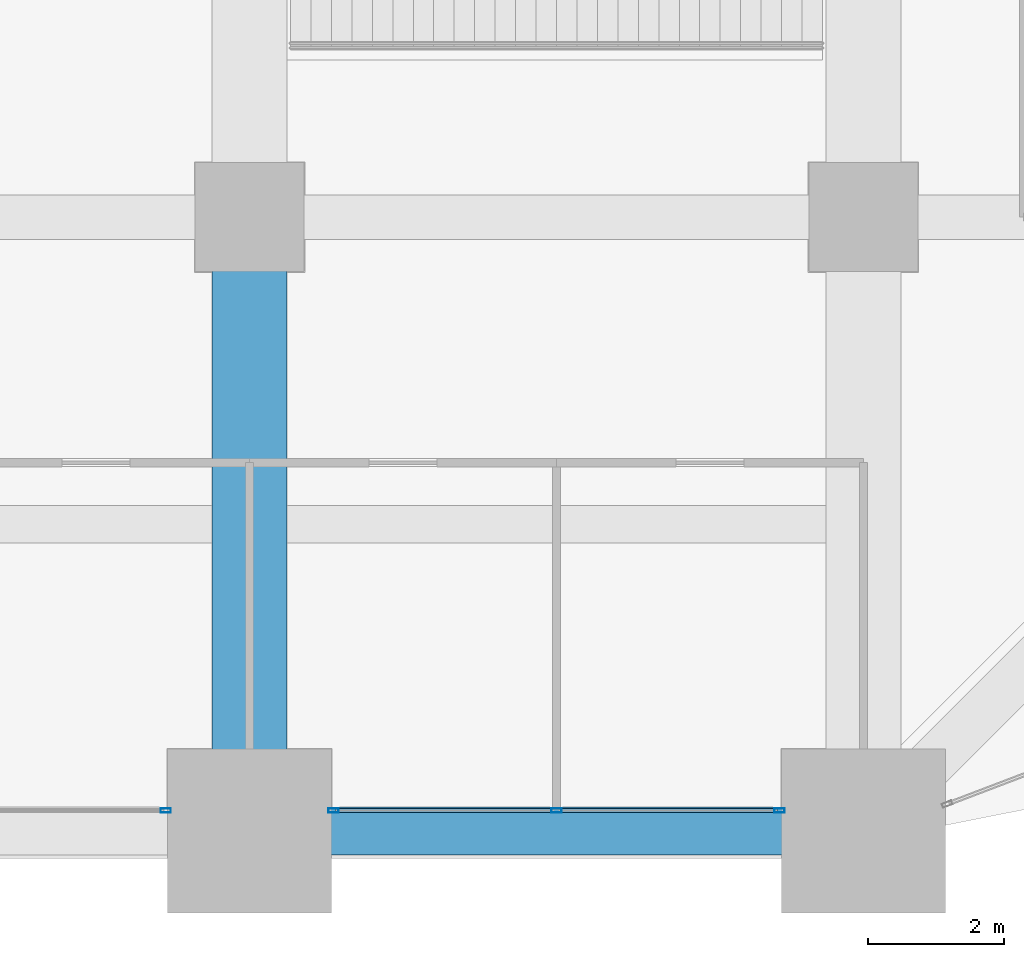
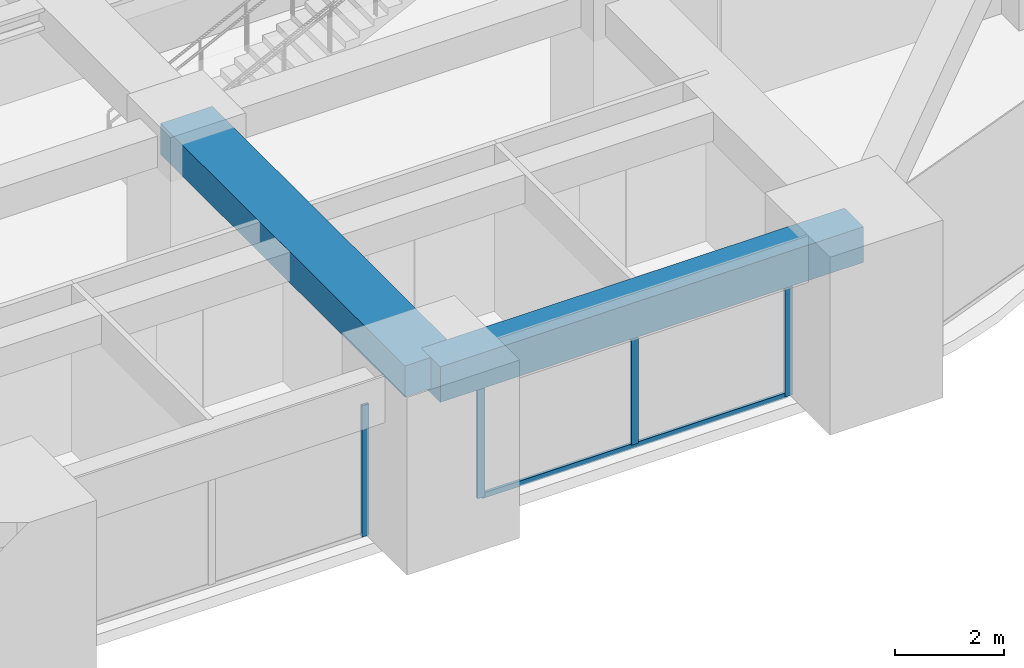
# One storey, part 13 of 34: 5 members, 2 beams, 2 elements without a shape of their own.
"""IFC4 building model written with IfcOpenShell, lengths in metres."""

from ifc_helpers import new_model, si_unit, direction, frame, origin, origin_2d, place, context, subcontext, project, spatial, rectangle, hollow_rectangle, extrude, material, material_profile, profile_set, type_object, element, aggregate, save


model = new_model("IFC4")

# Units and contexts
model_context = context("Model", 3, precision=1e-05, world=origin(), true_north=direction((0.0, 1.0)))
body_context = subcontext(model_context, "Body", "Model", "MODEL_VIEW")
ifc_project = project(units=[si_unit("LENGTHUNIT", "METRE"), si_unit("AREAUNIT", "SQUARE_METRE"), si_unit("VOLUMEUNIT", "CUBIC_METRE"), si_unit("PLANEANGLEUNIT", "RADIAN"), si_unit("MASSUNIT", "GRAM", prefix="KILO")], contexts=[model_context])

# Site, building, storey
site_placement = place(None, origin())
site = spatial("IfcSite", under=ifc_project, at=site_placement, CompositionType="ELEMENT")
building_placement = place(site_placement, origin())
building = spatial("IfcBuilding", under=site, at=building_placement, Name="Zorevar Civic Tower", CompositionType="ELEMENT")
storey_placement = place(building_placement, frame((0.0, 0.0, 174.199951171875)))
storey = spatial("IfcBuildingStorey", under=building, at=storey_placement, Name="L42", CompositionType="ELEMENT", Elevation=174.199951171875)

# Beam
ifc_material_1 = material(Name="Concrete C50/60", Category="concrete")
ifc_material_profile_1 = material_profile(ifc_material_1, rectangle(XDim=1.10009765625, YDim=0.699951171875, at=origin_2d()), Name="RC 1100x700")
ifc_profile_set_1 = profile_set([ifc_material_profile_1], Name="Concrete C50/60")
beam_type_1 = type_object("IfcBeamType", Name="Beam RC 1100x700", PredefinedType="BEAM", material=ifc_profile_set_1)
beam_1_placement = place(storey_placement, frame((36.0, 0.0, 3.400146484375), z_axis=(0.0, 1.0, 0.0), x_axis=(-1.0, 0.0, 0.0)))
element("IfcBeam", 1, at=beam_1_placement, inside=storey, type_object=beam_type_1, Name="Girder L43", PredefinedType="BEAM", context=body_context, shape_type="SweptSolid", body=[
    extrude(rectangle(XDim=1.10009765625, YDim=0.699951171875, at=origin_2d()), origin(), (0.0, 0.0, 1.0), 9.0),
])

# Curtain wall, member
ifc_material_2 = material(Name="Dark grey solar-control glass in black aluminium frame", Category="aluminium")
curtain_wall_type = type_object("IfcCurtainWallType", Name="Curtain wall CW4 high zone", PredefinedType="NOTDEFINED", material=ifc_material_2)
curtain_wall_1_placement = place(storey_placement, origin())
curtain_wall_1 = element("IfcCurtainWall", 2, at=curtain_wall_1_placement, inside=storey, type_object=curtain_wall_type, Name="CW4 L42", PredefinedType="NOTDEFINED")
ifc_material_3 = material(Name="Aluminium, black anodised", Category="aluminium")
ifc_material_profile_2 = material_profile(ifc_material_3, hollow_rectangle(XDim=0.06005859375, YDim=0.14990234375, WallThickness=0.00390625, at=origin_2d()), Name="AL 150x60x4")
ifc_profile_set_2 = profile_set([ifc_material_profile_2], Name="Aluminium, black anodised")
member_type_1 = type_object("IfcMemberType", Name="CW4 mullion AL 150x60x4", PredefinedType="MULLION", material=ifc_profile_set_2)
member_1_placement = place(storey_placement, frame((34.77001953125, 0.300048828125, 0.0), z_axis=(0.0, 0.0, 1.0), x_axis=(0.0, 1.0, 0.0)))
member_1 = element("IfcMember", 3, at=member_1_placement, type_object=member_type_1, Name="CW4 mullion 3", PredefinedType="MULLION", context=body_context, shape_type="SweptSolid", body=[
    extrude(hollow_rectangle(XDim=0.06005859375, YDim=0.14990234375, WallThickness=0.00390625, at=origin_2d()), origin(), (0.0, 0.0, 1.0), 2.949951171875),
])
aggregate(curtain_wall_1, [member_1])

# Curtain wall, members
curtain_wall_2_placement = place(storey_placement, origin())
curtain_wall_2 = element("IfcCurtainWall", 4, at=curtain_wall_2_placement, inside=storey, type_object=curtain_wall_type, Name="CW4 L42", PredefinedType="NOTDEFINED")
member_2_placement = place(storey_placement, frame((37.22998046875, 0.300048828125, 0.0), z_axis=(0.0, 0.0, 1.0), x_axis=(0.0, 1.0, 0.0)))
member_2 = element("IfcMember", 5, at=member_2_placement, type_object=member_type_1, Name="CW4 mullion 1", PredefinedType="MULLION", context=body_context, shape_type="SweptSolid", body=[
    extrude(hollow_rectangle(XDim=0.06005859375, YDim=0.14990234375, WallThickness=0.00390625, at=origin_2d()), origin(), (0.0, 0.0, 1.0), 2.949951171875),
])
member_3_placement = place(storey_placement, frame((40.5, 0.300048828125, 0.06005859375), z_axis=(0.0, 0.0, 1.0), x_axis=(0.0, 1.0, 0.0)))
member_3 = element("IfcMember", 6, at=member_3_placement, type_object=member_type_1, Name="CW4 mullion 2", PredefinedType="MULLION", context=body_context, shape_type="SweptSolid", body=[
    extrude(hollow_rectangle(XDim=0.06005859375, YDim=0.14990234375, WallThickness=0.00390625, at=origin_2d()), origin(), (0.0, 0.0, 1.0), 2.889892578125),
])
member_4_placement = place(storey_placement, frame((43.77001953125, 0.300048828125, 0.0), z_axis=(0.0, 0.0, 1.0), x_axis=(0.0, 1.0, 0.0)))
member_4 = element("IfcMember", 7, at=member_4_placement, type_object=member_type_1, Name="CW4 mullion 3", PredefinedType="MULLION", context=body_context, shape_type="SweptSolid", body=[
    extrude(hollow_rectangle(XDim=0.06005859375, YDim=0.14990234375, WallThickness=0.00390625, at=origin_2d()), origin(), (0.0, 0.0, 1.0), 2.949951171875),
])
ifc_material_4 = material(Name="Aluminium, black anodised", Category="aluminium")
ifc_material_profile_3 = material_profile(ifc_material_4, hollow_rectangle(XDim=0.06005859375, YDim=0.1201171875, WallThickness=0.0029296875, at=origin_2d()), Name="AL 120x60x3")
ifc_profile_set_3 = profile_set([ifc_material_profile_3], Name="Aluminium, black anodised")
member_type_2 = type_object("IfcMemberType", Name="CW4 transom AL 120x60x3", PredefinedType="USERDEFINED", material=ifc_profile_set_3)
member_5_placement = place(storey_placement, frame((37.260009765625, 0.300048828125, 0.030029296875), z_axis=(1.0, 0.0, 0.0), x_axis=(0.0, 1.0, 0.0)))
member_5 = element("IfcMember", 8, at=member_5_placement, type_object=member_type_2, Name="CW4 sill transom", ObjectType="TRANSOM", PredefinedType="USERDEFINED", context=body_context, shape_type="SweptSolid", body=[
    extrude(hollow_rectangle(XDim=0.06005859375, YDim=0.1201171875, WallThickness=0.0029296875, at=origin_2d()), origin(), (0.0, 0.0, 1.0), 6.47998046875),
])
aggregate(curtain_wall_2, [member_2, member_3, member_4, member_5])

# Beam
ifc_material_5 = material(Name="Concrete C50/60", Category="concrete")
ifc_material_profile_4 = material_profile(ifc_material_5, rectangle(XDim=0.699951171875, YDim=0.800048828125, at=origin_2d()), Name="RC 700x800")
ifc_profile_set_4 = profile_set([ifc_material_profile_4], Name="Concrete C50/60")
beam_type_2 = type_object("IfcBeamType", Name="Edge beam RC 700x800", PredefinedType="SPANDREL", material=ifc_profile_set_4)
beam_2_placement = place(storey_placement, frame((36.0, 0.0, 3.35009765625), z_axis=(1.0, 0.0, 0.0), x_axis=(0.0, 1.0, 0.0)))
element("IfcBeam", 9, at=beam_2_placement, inside=storey, type_object=beam_type_2, Name="Edge beam L43", PredefinedType="SPANDREL", context=body_context, shape_type="SweptSolid", body=[
    extrude(rectangle(XDim=0.699951171875, YDim=0.800048828125, at=origin_2d()), origin(), (0.0, 0.0, 1.0), 9.0),
])

save(model, "model.ifc")
